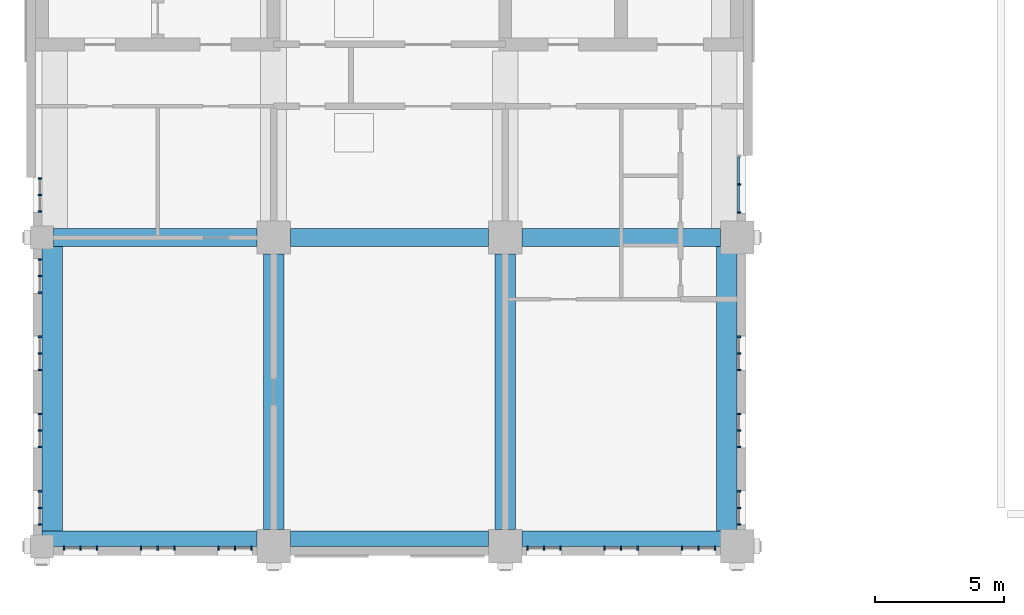
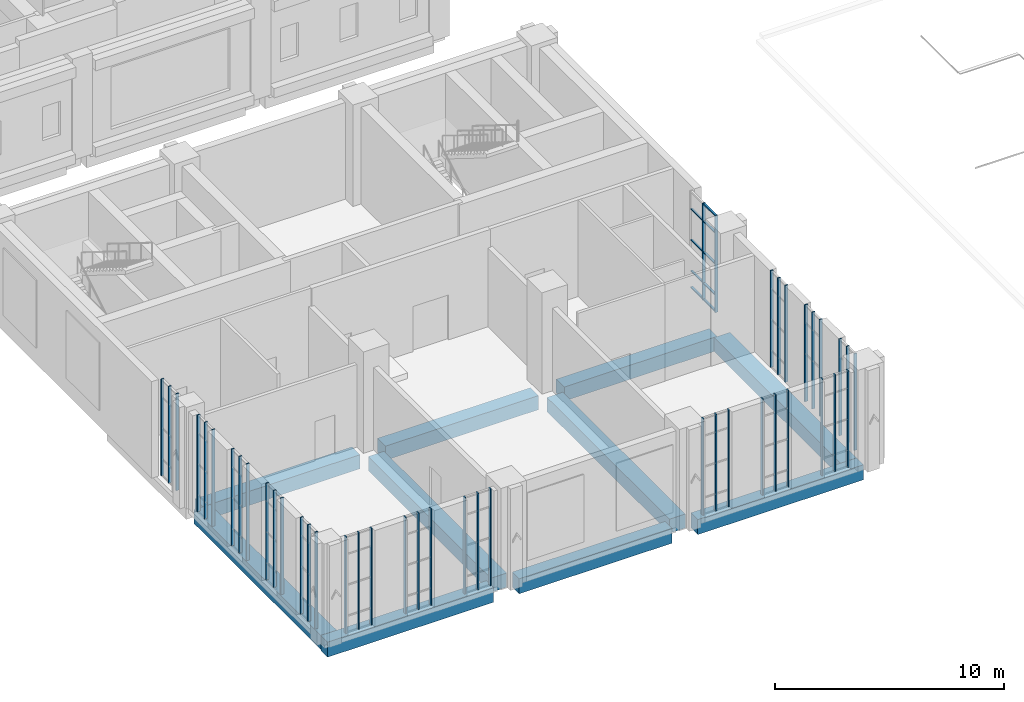
# One storey, part 2 of 37: 53 members, 10 beams, 15 elements without a shape of their own.
"""IFC4 building model written with IfcOpenShell, lengths in metres."""

from ifc_helpers import new_model, si_unit, direction, frame, origin, origin_2d, place, context, subcontext, project, spatial, rectangle, extrude, material, layer, layer_set, material_profile, profile_set, type_object, element, aggregate, save


model = new_model("IFC4")

# Units and contexts
model_context = context("Model", 3, precision=1e-05, world=origin(), true_north=direction((0.0, 1.0)))
body_context = subcontext(model_context, "Body", "Model", "MODEL_VIEW")
ifc_project = project(units=[si_unit("LENGTHUNIT", "METRE"), si_unit("AREAUNIT", "SQUARE_METRE"), si_unit("VOLUMEUNIT", "CUBIC_METRE"), si_unit("PLANEANGLEUNIT", "RADIAN"), si_unit("MASSUNIT", "GRAM", prefix="KILO")], contexts=[model_context])

# Site, building, storey
site_placement = place(None, origin())
site = spatial("IfcSite", under=ifc_project, at=site_placement, CompositionType="ELEMENT")
building_placement = place(site_placement, origin())
building = spatial("IfcBuilding", under=site, at=building_placement, Name="Aurelan Courthouse", CompositionType="ELEMENT")
storey_placement = place(building_placement, frame((0.0, 0.0, 17.39990234375)))
storey = spatial("IfcBuildingStorey", under=building, at=storey_placement, Name="L03", CompositionType="ELEMENT", Elevation=17.39990234375)

# Curtain wall, members
ifc_material_1 = material(Name="Bronze-finished aluminium and glass", Category="aluminium")
ifc_layer_1 = layer(ifc_material_1, 0.14990234375)
ifc_layer_set_1 = layer_set([ifc_layer_1], Name="Bronze-finished aluminium and glass")
curtain_wall_type_1 = type_object("IfcCurtainWallType", Name="Curtain wall 1350 x 5150", PredefinedType="NOTDEFINED", material=ifc_layer_set_1)
curtain_wall_1_placement = place(storey_placement, origin())
curtain_wall_1 = element("IfcCurtainWall", 1, at=curtain_wall_1_placement, inside=storey, type_object=curtain_wall_type_1, Name="Curtain wall CW-V5-L03-S01", PredefinedType="NOTDEFINED")
ifc_material_2 = material(Name="Bronze-finished aluminium", Category="aluminium")
ifc_material_profile_1 = material_profile(ifc_material_2, rectangle(XDim=0.14990234375, YDim=0.06005859375, at=origin_2d()), Name="Bronze mullion 60 x 150")
ifc_profile_set_1 = profile_set([ifc_material_profile_1], Name="Bronze-finished aluminium")
member_type_1 = type_object("IfcMemberType", Name="Curtain wall mullion 60 x 150", PredefinedType="MULLION", material=ifc_profile_set_1)
member_1_placement = place(storey_placement, frame((0.85498046875, -0.074951171875, 0.0), z_axis=(0.0, 0.0, 1.0), x_axis=(0.0, 1.0, 0.0)))
member_1 = element("IfcMember", 2, at=member_1_placement, type_object=member_type_1, Name="CW-V5-L03-S01 mullion 1", PredefinedType="MULLION", context=body_context, shape_type="SweptSolid", body=[
    extrude(rectangle(XDim=0.14990234375, YDim=0.06005859375, at=origin_2d()), origin(), (0.0, 0.0, 1.0), 5.150146484375),
])
member_2_placement = place(storey_placement, frame((1.5, -0.074951171875, 0.0), z_axis=(0.0, 0.0, 1.0), x_axis=(0.0, 1.0, 0.0)))
member_2 = element("IfcMember", 3, at=member_2_placement, type_object=member_type_1, Name="CW-V5-L03-S01 mullion 2", PredefinedType="MULLION", context=body_context, shape_type="SweptSolid", body=[
    extrude(rectangle(XDim=0.14990234375, YDim=0.06005859375, at=origin_2d()), origin(), (0.0, 0.0, 1.0), 5.150146484375),
])
member_3_placement = place(storey_placement, frame((2.14501953125, -0.074951171875, 0.0), z_axis=(0.0, 0.0, 1.0), x_axis=(0.0, 1.0, 0.0)))
member_3 = element("IfcMember", 4, at=member_3_placement, type_object=member_type_1, Name="CW-V5-L03-S01 mullion 3", PredefinedType="MULLION", context=body_context, shape_type="SweptSolid", body=[
    extrude(rectangle(XDim=0.14990234375, YDim=0.06005859375, at=origin_2d()), origin(), (0.0, 0.0, 1.0), 5.150146484375),
])
aggregate(curtain_wall_1, [member_1, member_2, member_3])

curtain_wall_2_placement = place(storey_placement, origin())
curtain_wall_2 = element("IfcCurtainWall", 5, at=curtain_wall_2_placement, inside=storey, type_object=curtain_wall_type_1, Name="Curtain wall CW-V5-L03-S02", PredefinedType="NOTDEFINED")
member_4_placement = place(storey_placement, frame((3.85498046875, -0.074951171875, 0.0), z_axis=(0.0, 0.0, 1.0), x_axis=(0.0, 1.0, 0.0)))
member_4 = element("IfcMember", 6, at=member_4_placement, type_object=member_type_1, Name="CW-V5-L03-S02 mullion 1", PredefinedType="MULLION", context=body_context, shape_type="SweptSolid", body=[
    extrude(rectangle(XDim=0.14990234375, YDim=0.06005859375, at=origin_2d()), origin(), (0.0, 0.0, 1.0), 5.150146484375),
])
member_5_placement = place(storey_placement, frame((4.5, -0.074951171875, 0.0), z_axis=(0.0, 0.0, 1.0), x_axis=(0.0, 1.0, 0.0)))
member_5 = element("IfcMember", 7, at=member_5_placement, type_object=member_type_1, Name="CW-V5-L03-S02 mullion 2", PredefinedType="MULLION", context=body_context, shape_type="SweptSolid", body=[
    extrude(rectangle(XDim=0.14990234375, YDim=0.06005859375, at=origin_2d()), origin(), (0.0, 0.0, 1.0), 5.150146484375),
])
member_6_placement = place(storey_placement, frame((5.14501953125, -0.074951171875, 0.0), z_axis=(0.0, 0.0, 1.0), x_axis=(0.0, 1.0, 0.0)))
member_6 = element("IfcMember", 8, at=member_6_placement, type_object=member_type_1, Name="CW-V5-L03-S02 mullion 3", PredefinedType="MULLION", context=body_context, shape_type="SweptSolid", body=[
    extrude(rectangle(XDim=0.14990234375, YDim=0.06005859375, at=origin_2d()), origin(), (0.0, 0.0, 1.0), 5.150146484375),
])
aggregate(curtain_wall_2, [member_4, member_5, member_6])

curtain_wall_3_placement = place(storey_placement, origin())
curtain_wall_3 = element("IfcCurtainWall", 9, at=curtain_wall_3_placement, inside=storey, type_object=curtain_wall_type_1, Name="Curtain wall CW-V5-L03-S03", PredefinedType="NOTDEFINED")
member_7_placement = place(storey_placement, frame((6.85498046875, -0.074951171875, 0.0), z_axis=(0.0, 0.0, 1.0), x_axis=(0.0, 1.0, 0.0)))
member_7 = element("IfcMember", 10, at=member_7_placement, type_object=member_type_1, Name="CW-V5-L03-S03 mullion 1", PredefinedType="MULLION", context=body_context, shape_type="SweptSolid", body=[
    extrude(rectangle(XDim=0.14990234375, YDim=0.06005859375, at=origin_2d()), origin(), (0.0, 0.0, 1.0), 5.150146484375),
])
member_8_placement = place(storey_placement, frame((7.5, -0.074951171875, 0.0), z_axis=(0.0, 0.0, 1.0), x_axis=(0.0, 1.0, 0.0)))
member_8 = element("IfcMember", 11, at=member_8_placement, type_object=member_type_1, Name="CW-V5-L03-S03 mullion 2", PredefinedType="MULLION", context=body_context, shape_type="SweptSolid", body=[
    extrude(rectangle(XDim=0.14990234375, YDim=0.06005859375, at=origin_2d()), origin(), (0.0, 0.0, 1.0), 5.150146484375),
])
member_9_placement = place(storey_placement, frame((8.14501953125, -0.074951171875, 0.0), z_axis=(0.0, 0.0, 1.0), x_axis=(0.0, 1.0, 0.0)))
member_9 = element("IfcMember", 12, at=member_9_placement, type_object=member_type_1, Name="CW-V5-L03-S03 mullion 3", PredefinedType="MULLION", context=body_context, shape_type="SweptSolid", body=[
    extrude(rectangle(XDim=0.14990234375, YDim=0.06005859375, at=origin_2d()), origin(), (0.0, 0.0, 1.0), 5.150146484375),
])
aggregate(curtain_wall_3, [member_7, member_8, member_9])

curtain_wall_4_placement = place(storey_placement, origin())
curtain_wall_4 = element("IfcCurtainWall", 13, at=curtain_wall_4_placement, inside=storey, type_object=curtain_wall_type_1, Name="Curtain wall CW-V5-L03-S04", PredefinedType="NOTDEFINED")
member_10_placement = place(storey_placement, frame((18.85498046875, -0.074951171875, 0.0), z_axis=(0.0, 0.0, 1.0), x_axis=(0.0, 1.0, 0.0)))
member_10 = element("IfcMember", 14, at=member_10_placement, type_object=member_type_1, Name="CW-V5-L03-S04 mullion 1", PredefinedType="MULLION", context=body_context, shape_type="SweptSolid", body=[
    extrude(rectangle(XDim=0.14990234375, YDim=0.06005859375, at=origin_2d()), origin(), (0.0, 0.0, 1.0), 5.150146484375),
])
member_11_placement = place(storey_placement, frame((19.5, -0.074951171875, 0.0), z_axis=(0.0, 0.0, 1.0), x_axis=(0.0, 1.0, 0.0)))
member_11 = element("IfcMember", 15, at=member_11_placement, type_object=member_type_1, Name="CW-V5-L03-S04 mullion 2", PredefinedType="MULLION", context=body_context, shape_type="SweptSolid", body=[
    extrude(rectangle(XDim=0.14990234375, YDim=0.06005859375, at=origin_2d()), origin(), (0.0, 0.0, 1.0), 5.150146484375),
])
member_12_placement = place(storey_placement, frame((20.14501953125, -0.074951171875, 0.0), z_axis=(0.0, 0.0, 1.0), x_axis=(0.0, 1.0, 0.0)))
member_12 = element("IfcMember", 16, at=member_12_placement, type_object=member_type_1, Name="CW-V5-L03-S04 mullion 3", PredefinedType="MULLION", context=body_context, shape_type="SweptSolid", body=[
    extrude(rectangle(XDim=0.14990234375, YDim=0.06005859375, at=origin_2d()), origin(), (0.0, 0.0, 1.0), 5.150146484375),
])
aggregate(curtain_wall_4, [member_10, member_11, member_12])

curtain_wall_5_placement = place(storey_placement, origin())
curtain_wall_5 = element("IfcCurtainWall", 17, at=curtain_wall_5_placement, inside=storey, type_object=curtain_wall_type_1, Name="Curtain wall CW-V5-L03-S05", PredefinedType="NOTDEFINED")
member_13_placement = place(storey_placement, frame((21.85498046875, -0.074951171875, 0.0), z_axis=(0.0, 0.0, 1.0), x_axis=(0.0, 1.0, 0.0)))
member_13 = element("IfcMember", 18, at=member_13_placement, type_object=member_type_1, Name="CW-V5-L03-S05 mullion 1", PredefinedType="MULLION", context=body_context, shape_type="SweptSolid", body=[
    extrude(rectangle(XDim=0.14990234375, YDim=0.06005859375, at=origin_2d()), origin(), (0.0, 0.0, 1.0), 5.150146484375),
])
member_14_placement = place(storey_placement, frame((22.5, -0.074951171875, 0.0), z_axis=(0.0, 0.0, 1.0), x_axis=(0.0, 1.0, 0.0)))
member_14 = element("IfcMember", 19, at=member_14_placement, type_object=member_type_1, Name="CW-V5-L03-S05 mullion 2", PredefinedType="MULLION", context=body_context, shape_type="SweptSolid", body=[
    extrude(rectangle(XDim=0.14990234375, YDim=0.06005859375, at=origin_2d()), origin(), (0.0, 0.0, 1.0), 5.150146484375),
])
member_15_placement = place(storey_placement, frame((23.14501953125, -0.074951171875, 0.0), z_axis=(0.0, 0.0, 1.0), x_axis=(0.0, 1.0, 0.0)))
member_15 = element("IfcMember", 20, at=member_15_placement, type_object=member_type_1, Name="CW-V5-L03-S05 mullion 3", PredefinedType="MULLION", context=body_context, shape_type="SweptSolid", body=[
    extrude(rectangle(XDim=0.14990234375, YDim=0.06005859375, at=origin_2d()), origin(), (0.0, 0.0, 1.0), 5.150146484375),
])
aggregate(curtain_wall_5, [member_13, member_14, member_15])

curtain_wall_6_placement = place(storey_placement, origin())
curtain_wall_6 = element("IfcCurtainWall", 21, at=curtain_wall_6_placement, inside=storey, type_object=curtain_wall_type_1, Name="Curtain wall CW-V5-L03-S06", PredefinedType="NOTDEFINED")
member_16_placement = place(storey_placement, frame((24.85498046875, -0.074951171875, 0.0), z_axis=(0.0, 0.0, 1.0), x_axis=(0.0, 1.0, 0.0)))
member_16 = element("IfcMember", 22, at=member_16_placement, type_object=member_type_1, Name="CW-V5-L03-S06 mullion 1", PredefinedType="MULLION", context=body_context, shape_type="SweptSolid", body=[
    extrude(rectangle(XDim=0.14990234375, YDim=0.06005859375, at=origin_2d()), origin(), (0.0, 0.0, 1.0), 5.150146484375),
])
member_17_placement = place(storey_placement, frame((25.5, -0.074951171875, 0.0), z_axis=(0.0, 0.0, 1.0), x_axis=(0.0, 1.0, 0.0)))
member_17 = element("IfcMember", 23, at=member_17_placement, type_object=member_type_1, Name="CW-V5-L03-S06 mullion 2", PredefinedType="MULLION", context=body_context, shape_type="SweptSolid", body=[
    extrude(rectangle(XDim=0.14990234375, YDim=0.06005859375, at=origin_2d()), origin(), (0.0, 0.0, 1.0), 5.150146484375),
])
member_18_placement = place(storey_placement, frame((26.14501953125, -0.074951171875, 0.0), z_axis=(0.0, 0.0, 1.0), x_axis=(0.0, 1.0, 0.0)))
member_18 = element("IfcMember", 24, at=member_18_placement, type_object=member_type_1, Name="CW-V5-L03-S06 mullion 3", PredefinedType="MULLION", context=body_context, shape_type="SweptSolid", body=[
    extrude(rectangle(XDim=0.14990234375, YDim=0.06005859375, at=origin_2d()), origin(), (0.0, 0.0, 1.0), 5.150146484375),
])
aggregate(curtain_wall_6, [member_16, member_17, member_18])

curtain_wall_7_placement = place(storey_placement, origin())
curtain_wall_7 = element("IfcCurtainWall", 25, at=curtain_wall_7_placement, inside=storey, type_object=curtain_wall_type_1, Name="Curtain wall CW-V5-L03-E01", PredefinedType="NOTDEFINED")
member_19_placement = place(storey_placement, frame((27.074951171875, 0.85498046875, 0.0), z_axis=(0.0, 0.0, 1.0), x_axis=(-1.0, 0.0, 0.0)))
member_19 = element("IfcMember", 26, at=member_19_placement, type_object=member_type_1, Name="CW-V5-L03-E01 mullion 1", PredefinedType="MULLION", context=body_context, shape_type="SweptSolid", body=[
    extrude(rectangle(XDim=0.14990234375, YDim=0.06005859375, at=origin_2d()), origin(), (0.0, 0.0, 1.0), 5.150146484375),
])
member_20_placement = place(storey_placement, frame((27.074951171875, 1.5, 0.0), z_axis=(0.0, 0.0, 1.0), x_axis=(-1.0, 0.0, 0.0)))
member_20 = element("IfcMember", 27, at=member_20_placement, type_object=member_type_1, Name="CW-V5-L03-E01 mullion 2", PredefinedType="MULLION", context=body_context, shape_type="SweptSolid", body=[
    extrude(rectangle(XDim=0.14990234375, YDim=0.06005859375, at=origin_2d()), origin(), (0.0, 0.0, 1.0), 5.150146484375),
])
member_21_placement = place(storey_placement, frame((27.074951171875, 2.14501953125, 0.0), z_axis=(0.0, 0.0, 1.0), x_axis=(-1.0, 0.0, 0.0)))
member_21 = element("IfcMember", 28, at=member_21_placement, type_object=member_type_1, Name="CW-V5-L03-E01 mullion 3", PredefinedType="MULLION", context=body_context, shape_type="SweptSolid", body=[
    extrude(rectangle(XDim=0.14990234375, YDim=0.06005859375, at=origin_2d()), origin(), (0.0, 0.0, 1.0), 5.150146484375),
])
aggregate(curtain_wall_7, [member_19, member_20, member_21])

curtain_wall_8_placement = place(storey_placement, origin())
curtain_wall_8 = element("IfcCurtainWall", 29, at=curtain_wall_8_placement, inside=storey, type_object=curtain_wall_type_1, Name="Curtain wall CW-V5-L03-E02", PredefinedType="NOTDEFINED")
member_22_placement = place(storey_placement, frame((27.074951171875, 3.85498046875, 0.0), z_axis=(0.0, 0.0, 1.0), x_axis=(-1.0, 0.0, 0.0)))
member_22 = element("IfcMember", 30, at=member_22_placement, type_object=member_type_1, Name="CW-V5-L03-E02 mullion 1", PredefinedType="MULLION", context=body_context, shape_type="SweptSolid", body=[
    extrude(rectangle(XDim=0.14990234375, YDim=0.06005859375, at=origin_2d()), origin(), (0.0, 0.0, 1.0), 5.150146484375),
])
member_23_placement = place(storey_placement, frame((27.074951171875, 4.5, 0.0), z_axis=(0.0, 0.0, 1.0), x_axis=(-1.0, 0.0, 0.0)))
member_23 = element("IfcMember", 31, at=member_23_placement, type_object=member_type_1, Name="CW-V5-L03-E02 mullion 2", PredefinedType="MULLION", context=body_context, shape_type="SweptSolid", body=[
    extrude(rectangle(XDim=0.14990234375, YDim=0.06005859375, at=origin_2d()), origin(), (0.0, 0.0, 1.0), 5.150146484375),
])
member_24_placement = place(storey_placement, frame((27.074951171875, 5.14501953125, 0.0), z_axis=(0.0, 0.0, 1.0), x_axis=(-1.0, 0.0, 0.0)))
member_24 = element("IfcMember", 32, at=member_24_placement, type_object=member_type_1, Name="CW-V5-L03-E02 mullion 3", PredefinedType="MULLION", context=body_context, shape_type="SweptSolid", body=[
    extrude(rectangle(XDim=0.14990234375, YDim=0.06005859375, at=origin_2d()), origin(), (0.0, 0.0, 1.0), 5.150146484375),
])
aggregate(curtain_wall_8, [member_22, member_23, member_24])

curtain_wall_9_placement = place(storey_placement, origin())
curtain_wall_9 = element("IfcCurtainWall", 33, at=curtain_wall_9_placement, inside=storey, type_object=curtain_wall_type_1, Name="Curtain wall CW-V5-L03-E03", PredefinedType="NOTDEFINED")
member_25_placement = place(storey_placement, frame((27.074951171875, 6.85498046875, 0.0), z_axis=(0.0, 0.0, 1.0), x_axis=(-1.0, 0.0, 0.0)))
member_25 = element("IfcMember", 34, at=member_25_placement, type_object=member_type_1, Name="CW-V5-L03-E03 mullion 1", PredefinedType="MULLION", context=body_context, shape_type="SweptSolid", body=[
    extrude(rectangle(XDim=0.14990234375, YDim=0.06005859375, at=origin_2d()), origin(), (0.0, 0.0, 1.0), 5.150146484375),
])
member_26_placement = place(storey_placement, frame((27.074951171875, 7.5, 0.0), z_axis=(0.0, 0.0, 1.0), x_axis=(-1.0, 0.0, 0.0)))
member_26 = element("IfcMember", 35, at=member_26_placement, type_object=member_type_1, Name="CW-V5-L03-E03 mullion 2", PredefinedType="MULLION", context=body_context, shape_type="SweptSolid", body=[
    extrude(rectangle(XDim=0.14990234375, YDim=0.06005859375, at=origin_2d()), origin(), (0.0, 0.0, 1.0), 5.150146484375),
])
member_27_placement = place(storey_placement, frame((27.074951171875, 8.14501953125, 0.0), z_axis=(0.0, 0.0, 1.0), x_axis=(-1.0, 0.0, 0.0)))
member_27 = element("IfcMember", 36, at=member_27_placement, type_object=member_type_1, Name="CW-V5-L03-E03 mullion 3", PredefinedType="MULLION", context=body_context, shape_type="SweptSolid", body=[
    extrude(rectangle(XDim=0.14990234375, YDim=0.06005859375, at=origin_2d()), origin(), (0.0, 0.0, 1.0), 5.150146484375),
])
aggregate(curtain_wall_9, [member_25, member_26, member_27])

ifc_layer_2 = layer(ifc_material_1, 0.14990234375)
ifc_layer_set_2 = layer_set([ifc_layer_2], Name="Bronze-finished aluminium and glass")
curtain_wall_type_2 = type_object("IfcCurtainWallType", Name="Curtain wall 2250 x 5150", PredefinedType="NOTDEFINED", material=ifc_layer_set_2)
curtain_wall_10_placement = place(storey_placement, origin())
curtain_wall_10 = element("IfcCurtainWall", 37, at=curtain_wall_10_placement, inside=storey, type_object=curtain_wall_type_2, Name="Curtain wall CW-V5-L03-E04", PredefinedType="NOTDEFINED")
member_28_placement = place(storey_placement, frame((27.074951171875, 12.967529296875, 0.0), z_axis=(0.0, 0.0, 1.0), x_axis=(-1.0, 0.0, 0.0)))
member_28 = element("IfcMember", 38, at=member_28_placement, type_object=member_type_1, Name="CW-V5-L03-E04 mullion 1", PredefinedType="MULLION", context=body_context, shape_type="SweptSolid", body=[
    extrude(rectangle(XDim=0.14990234375, YDim=0.06005859375, at=origin_2d()), origin(), (0.0, 0.0, 1.0), 5.150146484375),
])
member_29_placement = place(storey_placement, frame((27.074951171875, 14.0625, 0.0), z_axis=(0.0, 0.0, 1.0), x_axis=(-1.0, 0.0, 0.0)))
member_29 = element("IfcMember", 39, at=member_29_placement, type_object=member_type_1, Name="CW-V5-L03-E04 mullion 2", PredefinedType="MULLION", context=body_context, shape_type="SweptSolid", body=[
    extrude(rectangle(XDim=0.14990234375, YDim=0.06005859375, at=origin_2d()), origin(), (0.0, 0.0, 1.0), 5.150146484375),
])

curtain_wall_11_placement = place(storey_placement, origin())
curtain_wall_11 = element("IfcCurtainWall", 40, at=curtain_wall_11_placement, inside=storey, type_object=curtain_wall_type_1, Name="Curtain wall CW-V5-L03-W01", PredefinedType="NOTDEFINED")
member_30_placement = place(storey_placement, frame((-0.074951171875, 0.85498046875, 0.0), z_axis=(0.0, 0.0, 1.0), x_axis=(-1.0, 0.0, 0.0)))
member_30 = element("IfcMember", 41, at=member_30_placement, type_object=member_type_1, Name="CW-V5-L03-W01 mullion 1", PredefinedType="MULLION", context=body_context, shape_type="SweptSolid", body=[
    extrude(rectangle(XDim=0.14990234375, YDim=0.06005859375, at=origin_2d()), origin(), (0.0, 0.0, 1.0), 5.150146484375),
])
member_31_placement = place(storey_placement, frame((-0.074951171875, 1.5, 0.0), z_axis=(0.0, 0.0, 1.0), x_axis=(-1.0, 0.0, 0.0)))
member_31 = element("IfcMember", 42, at=member_31_placement, type_object=member_type_1, Name="CW-V5-L03-W01 mullion 2", PredefinedType="MULLION", context=body_context, shape_type="SweptSolid", body=[
    extrude(rectangle(XDim=0.14990234375, YDim=0.06005859375, at=origin_2d()), origin(), (0.0, 0.0, 1.0), 5.150146484375),
])
member_32_placement = place(storey_placement, frame((-0.074951171875, 2.14501953125, 0.0), z_axis=(0.0, 0.0, 1.0), x_axis=(-1.0, 0.0, 0.0)))
member_32 = element("IfcMember", 43, at=member_32_placement, type_object=member_type_1, Name="CW-V5-L03-W01 mullion 3", PredefinedType="MULLION", context=body_context, shape_type="SweptSolid", body=[
    extrude(rectangle(XDim=0.14990234375, YDim=0.06005859375, at=origin_2d()), origin(), (0.0, 0.0, 1.0), 5.150146484375),
])
aggregate(curtain_wall_11, [member_30, member_31, member_32])

curtain_wall_12_placement = place(storey_placement, origin())
curtain_wall_12 = element("IfcCurtainWall", 44, at=curtain_wall_12_placement, inside=storey, type_object=curtain_wall_type_1, Name="Curtain wall CW-V5-L03-W02", PredefinedType="NOTDEFINED")
member_33_placement = place(storey_placement, frame((-0.074951171875, 3.85498046875, 0.0), z_axis=(0.0, 0.0, 1.0), x_axis=(-1.0, 0.0, 0.0)))
member_33 = element("IfcMember", 45, at=member_33_placement, type_object=member_type_1, Name="CW-V5-L03-W02 mullion 1", PredefinedType="MULLION", context=body_context, shape_type="SweptSolid", body=[
    extrude(rectangle(XDim=0.14990234375, YDim=0.06005859375, at=origin_2d()), origin(), (0.0, 0.0, 1.0), 5.150146484375),
])
member_34_placement = place(storey_placement, frame((-0.074951171875, 4.5, 0.0), z_axis=(0.0, 0.0, 1.0), x_axis=(-1.0, 0.0, 0.0)))
member_34 = element("IfcMember", 46, at=member_34_placement, type_object=member_type_1, Name="CW-V5-L03-W02 mullion 2", PredefinedType="MULLION", context=body_context, shape_type="SweptSolid", body=[
    extrude(rectangle(XDim=0.14990234375, YDim=0.06005859375, at=origin_2d()), origin(), (0.0, 0.0, 1.0), 5.150146484375),
])
member_35_placement = place(storey_placement, frame((-0.074951171875, 5.14501953125, 0.0), z_axis=(0.0, 0.0, 1.0), x_axis=(-1.0, 0.0, 0.0)))
member_35 = element("IfcMember", 47, at=member_35_placement, type_object=member_type_1, Name="CW-V5-L03-W02 mullion 3", PredefinedType="MULLION", context=body_context, shape_type="SweptSolid", body=[
    extrude(rectangle(XDim=0.14990234375, YDim=0.06005859375, at=origin_2d()), origin(), (0.0, 0.0, 1.0), 5.150146484375),
])
aggregate(curtain_wall_12, [member_33, member_34, member_35])

curtain_wall_13_placement = place(storey_placement, origin())
curtain_wall_13 = element("IfcCurtainWall", 48, at=curtain_wall_13_placement, inside=storey, type_object=curtain_wall_type_1, Name="Curtain wall CW-V5-L03-W03", PredefinedType="NOTDEFINED")
member_36_placement = place(storey_placement, frame((-0.074951171875, 6.85498046875, 0.0), z_axis=(0.0, 0.0, 1.0), x_axis=(-1.0, 0.0, 0.0)))
member_36 = element("IfcMember", 49, at=member_36_placement, type_object=member_type_1, Name="CW-V5-L03-W03 mullion 1", PredefinedType="MULLION", context=body_context, shape_type="SweptSolid", body=[
    extrude(rectangle(XDim=0.14990234375, YDim=0.06005859375, at=origin_2d()), origin(), (0.0, 0.0, 1.0), 5.150146484375),
])
member_37_placement = place(storey_placement, frame((-0.074951171875, 7.5, 0.0), z_axis=(0.0, 0.0, 1.0), x_axis=(-1.0, 0.0, 0.0)))
member_37 = element("IfcMember", 50, at=member_37_placement, type_object=member_type_1, Name="CW-V5-L03-W03 mullion 2", PredefinedType="MULLION", context=body_context, shape_type="SweptSolid", body=[
    extrude(rectangle(XDim=0.14990234375, YDim=0.06005859375, at=origin_2d()), origin(), (0.0, 0.0, 1.0), 5.150146484375),
])
member_38_placement = place(storey_placement, frame((-0.074951171875, 8.14501953125, 0.0), z_axis=(0.0, 0.0, 1.0), x_axis=(-1.0, 0.0, 0.0)))
member_38 = element("IfcMember", 51, at=member_38_placement, type_object=member_type_1, Name="CW-V5-L03-W03 mullion 3", PredefinedType="MULLION", context=body_context, shape_type="SweptSolid", body=[
    extrude(rectangle(XDim=0.14990234375, YDim=0.06005859375, at=origin_2d()), origin(), (0.0, 0.0, 1.0), 5.150146484375),
])
aggregate(curtain_wall_13, [member_36, member_37, member_38])

curtain_wall_14_placement = place(storey_placement, origin())
curtain_wall_14 = element("IfcCurtainWall", 52, at=curtain_wall_14_placement, inside=storey, type_object=curtain_wall_type_1, Name="Curtain wall CW-V5-L03-W04", PredefinedType="NOTDEFINED")
member_39_placement = place(storey_placement, frame((-0.074951171875, 9.85498046875, 0.0), z_axis=(0.0, 0.0, 1.0), x_axis=(-1.0, 0.0, 0.0)))
member_39 = element("IfcMember", 53, at=member_39_placement, type_object=member_type_1, Name="CW-V5-L03-W04 mullion 1", PredefinedType="MULLION", context=body_context, shape_type="SweptSolid", body=[
    extrude(rectangle(XDim=0.14990234375, YDim=0.06005859375, at=origin_2d()), origin(), (0.0, 0.0, 1.0), 5.150146484375),
])
member_40_placement = place(storey_placement, frame((-0.074951171875, 10.5, 0.0), z_axis=(0.0, 0.0, 1.0), x_axis=(-1.0, 0.0, 0.0)))
member_40 = element("IfcMember", 54, at=member_40_placement, type_object=member_type_1, Name="CW-V5-L03-W04 mullion 2", PredefinedType="MULLION", context=body_context, shape_type="SweptSolid", body=[
    extrude(rectangle(XDim=0.14990234375, YDim=0.06005859375, at=origin_2d()), origin(), (0.0, 0.0, 1.0), 5.150146484375),
])
member_41_placement = place(storey_placement, frame((-0.074951171875, 11.14501953125, 0.0), z_axis=(0.0, 0.0, 1.0), x_axis=(-1.0, 0.0, 0.0)))
member_41 = element("IfcMember", 55, at=member_41_placement, type_object=member_type_1, Name="CW-V5-L03-W04 mullion 3", PredefinedType="MULLION", context=body_context, shape_type="SweptSolid", body=[
    extrude(rectangle(XDim=0.14990234375, YDim=0.06005859375, at=origin_2d()), origin(), (0.0, 0.0, 1.0), 5.150146484375),
])
aggregate(curtain_wall_14, [member_39, member_40, member_41])

curtain_wall_15_placement = place(storey_placement, origin())
curtain_wall_15 = element("IfcCurtainWall", 56, at=curtain_wall_15_placement, inside=storey, type_object=curtain_wall_type_1, Name="Curtain wall CW-V5-L03-W05", PredefinedType="NOTDEFINED")
member_42_placement = place(storey_placement, frame((-0.074951171875, 13.0048828125, 0.0), z_axis=(0.0, 0.0, 1.0), x_axis=(-1.0, 0.0, 0.0)))
member_42 = element("IfcMember", 57, at=member_42_placement, type_object=member_type_1, Name="CW-V5-L03-W05 mullion 1", PredefinedType="MULLION", context=body_context, shape_type="SweptSolid", body=[
    extrude(rectangle(XDim=0.14990234375, YDim=0.06005859375, at=origin_2d()), origin(), (0.0, 0.0, 1.0), 5.150146484375),
])
member_43_placement = place(storey_placement, frame((-0.074951171875, 13.64990234375, 0.0), z_axis=(0.0, 0.0, 1.0), x_axis=(-1.0, 0.0, 0.0)))
member_43 = element("IfcMember", 58, at=member_43_placement, type_object=member_type_1, Name="CW-V5-L03-W05 mullion 2", PredefinedType="MULLION", context=body_context, shape_type="SweptSolid", body=[
    extrude(rectangle(XDim=0.14990234375, YDim=0.06005859375, at=origin_2d()), origin(), (0.0, 0.0, 1.0), 5.150146484375),
])
member_44_placement = place(storey_placement, frame((-0.074951171875, 14.294921875, 0.0), z_axis=(0.0, 0.0, 1.0), x_axis=(-1.0, 0.0, 0.0)))
member_44 = element("IfcMember", 59, at=member_44_placement, type_object=member_type_1, Name="CW-V5-L03-W05 mullion 3", PredefinedType="MULLION", context=body_context, shape_type="SweptSolid", body=[
    extrude(rectangle(XDim=0.14990234375, YDim=0.06005859375, at=origin_2d()), origin(), (0.0, 0.0, 1.0), 5.150146484375),
])
aggregate(curtain_wall_15, [member_42, member_43, member_44])

# Member
ifc_material_profile_2 = material_profile(ifc_material_2, rectangle(XDim=0.10009765625, YDim=0.06005859375, at=origin_2d()), Name="Bronze transom 60 x 100")
ifc_profile_set_2 = profile_set([ifc_material_profile_2], Name="Bronze-finished aluminium")
member_type_2 = type_object("IfcMemberType", Name="Curtain wall transom 60 x 100", PredefinedType="USERDEFINED", material=ifc_profile_set_2)
member_45_placement = place(storey_placement, frame((27.074951171875, 12.99755859375, 0.030029296875), z_axis=(0.0, 1.0, 0.0), x_axis=(-1.0, 0.0, 0.0)))
member_45 = element("IfcMember", 60, at=member_45_placement, type_object=member_type_2, Name="CW-V5-L03-E04 transom 1.1", ObjectType="TRANSOM", PredefinedType="USERDEFINED", context=body_context, shape_type="SweptSolid", body=[
    extrude(rectangle(XDim=0.10009765625, YDim=0.06005859375, at=origin_2d()), origin(), (0.0, 0.0, 1.0), 1.034912109375),
])

member_46_placement = place(storey_placement, frame((27.074951171875, 12.99755859375, 0.900146484375), z_axis=(0.0, 1.0, 0.0), x_axis=(-1.0, 0.0, 0.0)))
member_46 = element("IfcMember", 61, at=member_46_placement, type_object=member_type_2, Name="CW-V5-L03-E04 transom 1.2", ObjectType="TRANSOM", PredefinedType="USERDEFINED", context=body_context, shape_type="SweptSolid", body=[
    extrude(rectangle(XDim=0.10009765625, YDim=0.06005859375, at=origin_2d()), origin(), (0.0, 0.0, 1.0), 1.034912109375),
])

member_47_placement = place(storey_placement, frame((27.074951171875, 12.99755859375, 2.550048828125), z_axis=(0.0, 1.0, 0.0), x_axis=(-1.0, 0.0, 0.0)))
member_47 = element("IfcMember", 62, at=member_47_placement, type_object=member_type_2, Name="CW-V5-L03-E04 transom 1.3", ObjectType="TRANSOM", PredefinedType="USERDEFINED", context=body_context, shape_type="SweptSolid", body=[
    extrude(rectangle(XDim=0.10009765625, YDim=0.06005859375, at=origin_2d()), origin(), (0.0, 0.0, 1.0), 1.034912109375),
])

member_48_placement = place(storey_placement, frame((27.074951171875, 12.99755859375, 4.2001953125), z_axis=(0.0, 1.0, 0.0), x_axis=(-1.0, 0.0, 0.0)))
member_48 = element("IfcMember", 63, at=member_48_placement, type_object=member_type_2, Name="CW-V5-L03-E04 transom 1.4", ObjectType="TRANSOM", PredefinedType="USERDEFINED", context=body_context, shape_type="SweptSolid", body=[
    extrude(rectangle(XDim=0.10009765625, YDim=0.06005859375, at=origin_2d()), origin(), (0.0, 0.0, 1.0), 1.034912109375),
])

member_49_placement = place(storey_placement, frame((27.074951171875, 12.99755859375, 5.1201171875), z_axis=(0.0, 1.0, 0.0), x_axis=(-1.0, 0.0, 0.0)))
member_49 = element("IfcMember", 64, at=member_49_placement, type_object=member_type_2, Name="CW-V5-L03-E04 transom 1.5", ObjectType="TRANSOM", PredefinedType="USERDEFINED", context=body_context, shape_type="SweptSolid", body=[
    extrude(rectangle(XDim=0.10009765625, YDim=0.06005859375, at=origin_2d()), origin(), (0.0, 0.0, 1.0), 1.034912109375),
])

member_50_placement = place(storey_placement, frame((27.074951171875, 14.092529296875, 0.030029296875), z_axis=(0.0, 1.0, 0.0), x_axis=(-1.0, 0.0, 0.0)))
member_50 = element("IfcMember", 65, at=member_50_placement, type_object=member_type_2, Name="CW-V5-L03-E04 transom 2.1", ObjectType="TRANSOM", PredefinedType="USERDEFINED", context=body_context, shape_type="SweptSolid", body=[
    extrude(rectangle(XDim=0.10009765625, YDim=0.06005859375, at=origin_2d()), origin(), (0.0, 0.0, 1.0), 1.034912109375),
])

member_51_placement = place(storey_placement, frame((27.074951171875, 14.092529296875, 0.900146484375), z_axis=(0.0, 1.0, 0.0), x_axis=(-1.0, 0.0, 0.0)))
member_51 = element("IfcMember", 66, at=member_51_placement, type_object=member_type_2, Name="CW-V5-L03-E04 transom 2.2", ObjectType="TRANSOM", PredefinedType="USERDEFINED", context=body_context, shape_type="SweptSolid", body=[
    extrude(rectangle(XDim=0.10009765625, YDim=0.06005859375, at=origin_2d()), origin(), (0.0, 0.0, 1.0), 1.034912109375),
])

member_52_placement = place(storey_placement, frame((27.074951171875, 14.092529296875, 2.550048828125), z_axis=(0.0, 1.0, 0.0), x_axis=(-1.0, 0.0, 0.0)))
member_52 = element("IfcMember", 67, at=member_52_placement, type_object=member_type_2, Name="CW-V5-L03-E04 transom 2.3", ObjectType="TRANSOM", PredefinedType="USERDEFINED", context=body_context, shape_type="SweptSolid", body=[
    extrude(rectangle(XDim=0.10009765625, YDim=0.06005859375, at=origin_2d()), origin(), (0.0, 0.0, 1.0), 1.034912109375),
])

member_53_placement = place(storey_placement, frame((27.074951171875, 14.092529296875, 4.2001953125), z_axis=(0.0, 1.0, 0.0), x_axis=(-1.0, 0.0, 0.0)))
member_53 = element("IfcMember", 68, at=member_53_placement, type_object=member_type_2, Name="CW-V5-L03-E04 transom 2.4", ObjectType="TRANSOM", PredefinedType="USERDEFINED", context=body_context, shape_type="SweptSolid", body=[
    extrude(rectangle(XDim=0.10009765625, YDim=0.06005859375, at=origin_2d()), origin(), (0.0, 0.0, 1.0), 1.034912109375),
])

aggregate(curtain_wall_10, [member_28, member_29, member_45, member_46, member_47, member_48, member_49, member_50, member_51, member_52, member_53])

# Beams
ifc_material_3 = material(Name="Concrete C50", Category="concrete")
ifc_material_profile_3 = material_profile(ifc_material_3, rectangle(XDim=0.699951171875, YDim=0.75, at=origin_2d()), Name="RC 700 x 750")
ifc_profile_set_3 = profile_set([ifc_material_profile_3], Name="Concrete C50")
beam_type_1 = type_object("IfcBeamType", Name="PT beam 700 x 750", PredefinedType="BEAM", material=ifc_profile_set_3)
beam_1_placement = place(storey_placement, frame((0.449951171875, 12.0, -0.625), z_axis=(1.0, 0.0, 0.0), x_axis=(0.0, 1.0, 0.0)))
element("IfcBeam", 69, at=beam_1_placement, inside=storey, type_object=beam_type_1, Name="Beam EB-B-1-2", PredefinedType="BEAM", context=body_context, shape_type="SweptSolid", body=[
    extrude(rectangle(XDim=0.699951171875, YDim=0.75, at=origin_2d()), origin(), (0.0, 0.0, 1.0), 7.900146484375),
])
for number, where, z_axis, x_axis, name in (
    (70, (9.64990234375, 12.0, -0.625), (1.0, 0.0, 0.0), (0.0, 1.0, 0.0), "Beam EB-B-2-3"),
    (71, (18.64990234375, 12.0, -0.625), (1.0, 0.0, 0.0), (0.0, 1.0, 0.0), "Beam EB-B-3-4"),
):
    element("IfcBeam", number, at=place(storey_placement, frame(where, z_axis=z_axis, x_axis=x_axis)), inside=storey, type_object=beam_type_1, Name=name, PredefinedType="BEAM", context=body_context, shape_type="SweptSolid", body=[
        extrude(rectangle(XDim=0.699951171875, YDim=0.75, at=origin_2d()), origin(), (0.0, 0.0, 1.0), 7.7001953125),
    ])
ifc_material_profile_4 = material_profile(ifc_material_3, rectangle(XDim=0.800048828125, YDim=0.75, at=origin_2d()), Name="RC 800 x 750")
ifc_profile_set_4 = profile_set([ifc_material_profile_4], Name="Concrete C50")
beam_type_2 = type_object("IfcBeamType", Name="PT girder 800 x 750", PredefinedType="BEAM", material=ifc_profile_set_4)
beam_2_placement = place(storey_placement, frame((0.39990234375, 0.60009765625, -0.625), z_axis=(0.0, 1.0, 0.0), x_axis=(-1.0, 0.0, 0.0)))
element("IfcBeam", 72, at=beam_2_placement, inside=storey, type_object=beam_type_2, Name="Girder GB-1AB-E", PredefinedType="BEAM", context=body_context, shape_type="SweptSolid", body=[
    extrude(rectangle(XDim=0.800048828125, YDim=0.75, at=origin_2d()), origin(), (0.0, 0.0, 1.0), 11.0498046875),
])
for number, where, z_axis, x_axis, name in (
    (73, (9.0, 0.64990234375, -0.625), (0.0, 1.0, 0.0), (-1.0, 0.0, 0.0), "Girder GB-2AB"),
    (74, (18.0, 0.64990234375, -0.625), (0.0, 1.0, 0.0), (-1.0, 0.0, 0.0), "Girder GB-3AB"),
):
    element("IfcBeam", number, at=place(storey_placement, frame(where, z_axis=z_axis, x_axis=x_axis)), inside=storey, type_object=beam_type_2, Name=name, PredefinedType="BEAM", context=body_context, shape_type="SweptSolid", body=[
        extrude(rectangle(XDim=0.800048828125, YDim=0.75, at=origin_2d()), origin(), (0.0, 0.0, 1.0), 10.7001953125),
    ])
beam_3_placement = place(storey_placement, frame((26.60009765625, 0.60009765625, -0.625), z_axis=(0.0, 1.0, 0.0), x_axis=(-1.0, 0.0, 0.0)))
element("IfcBeam", 75, at=beam_3_placement, inside=storey, type_object=beam_type_2, Name="Girder GB-4AB-E", PredefinedType="BEAM", context=body_context, shape_type="SweptSolid", body=[
    extrude(rectangle(XDim=0.800048828125, YDim=0.75, at=origin_2d()), origin(), (0.0, 0.0, 1.0), 11.0498046875),
])
ifc_material_profile_5 = material_profile(ifc_material_3, rectangle(XDim=0.60009765625, YDim=0.800048828125, at=origin_2d()), Name="RC 600 x 800")
ifc_profile_set_5 = profile_set([ifc_material_profile_5], Name="Concrete C50")
beam_type_3 = type_object("IfcBeamType", Name="RC spandrel beam 600 x 800", PredefinedType="SPANDREL", material=ifc_profile_set_5)
beam_4_placement = place(storey_placement, frame((0.0, 0.300048828125, -0.64990234375), z_axis=(1.0, 0.0, 0.0), x_axis=(0.0, 1.0, 0.0)))
element("IfcBeam", 76, at=beam_4_placement, inside=storey, type_object=beam_type_3, Name="Spandrel beam SB-A-1-2", PredefinedType="SPANDREL", context=body_context, shape_type="SweptSolid", body=[
    extrude(rectangle(XDim=0.60009765625, YDim=0.800048828125, at=origin_2d()), origin(), (0.0, 0.0, 1.0), 8.35009765625),
])
beam_5_placement = place(storey_placement, frame((9.64990234375, 0.300048828125, -0.64990234375), z_axis=(1.0, 0.0, 0.0), x_axis=(0.0, 1.0, 0.0)))
element("IfcBeam", 77, at=beam_5_placement, inside=storey, type_object=beam_type_3, Name="Spandrel beam SB-A-2-3", PredefinedType="SPANDREL", context=body_context, shape_type="SweptSolid", body=[
    extrude(rectangle(XDim=0.60009765625, YDim=0.800048828125, at=origin_2d()), origin(), (0.0, 0.0, 1.0), 7.7001953125),
])
beam_6_placement = place(storey_placement, frame((18.64990234375, 0.300048828125, -0.64990234375), z_axis=(1.0, 0.0, 0.0), x_axis=(0.0, 1.0, 0.0)))
element("IfcBeam", 78, at=beam_6_placement, inside=storey, type_object=beam_type_3, Name="Spandrel beam SB-A-3-4", PredefinedType="SPANDREL", context=body_context, shape_type="SweptSolid", body=[
    extrude(rectangle(XDim=0.60009765625, YDim=0.800048828125, at=origin_2d()), origin(), (0.0, 0.0, 1.0), 8.35009765625),
])

save(model, "model.ifc")
